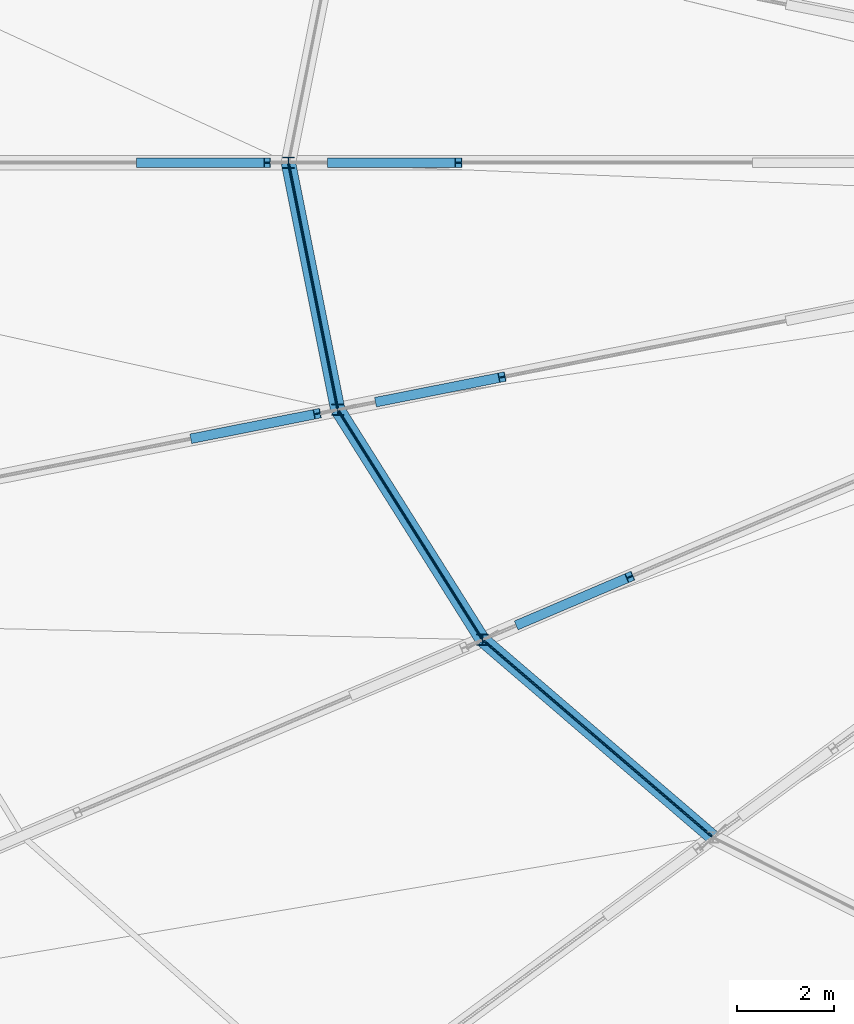
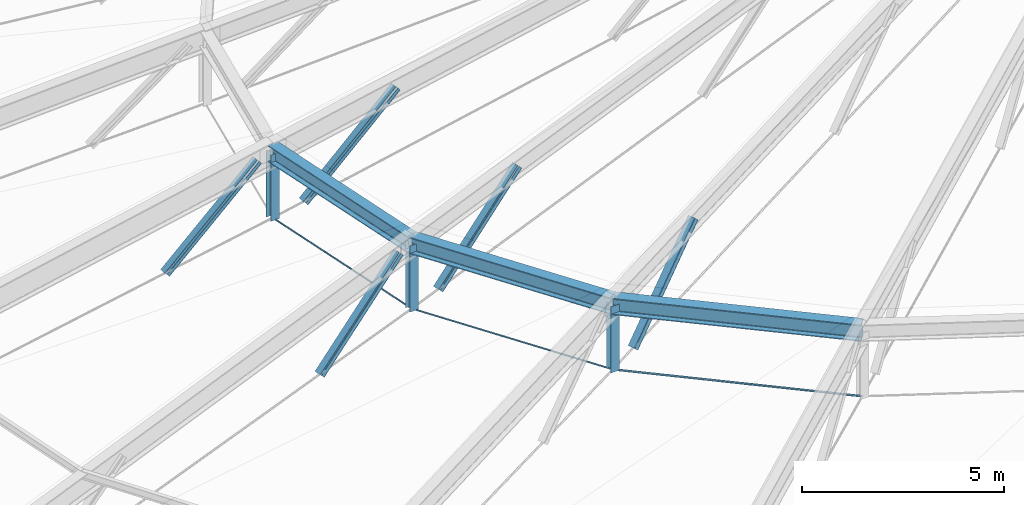
# One storey, part 10 of 83: 11 members, 3 beams.
"""IFC4 building model written with IfcOpenShell, lengths in metres."""

from ifc_helpers import new_model, si_unit, direction, frame, origin, origin_2d, place, context, subcontext, project, spatial, circle, i_section, extrude, material, material_profile, profile_set, type_object, element, save


model = new_model("IFC4")

# Units and contexts
model_context = context("Model", 3, precision=1e-05, world=origin(), true_north=direction((0.0, 1.0)))
body_context = subcontext(model_context, "Body", "Model", "MODEL_VIEW")
ifc_project = project(units=[si_unit("LENGTHUNIT", "METRE"), si_unit("AREAUNIT", "SQUARE_METRE"), si_unit("VOLUMEUNIT", "CUBIC_METRE"), si_unit("PLANEANGLEUNIT", "RADIAN"), si_unit("MASSUNIT", "GRAM", prefix="KILO")], contexts=[model_context])

# Site, building, storey
site_placement = place(None, origin())
site = spatial("IfcSite", under=ifc_project, at=site_placement, CompositionType="ELEMENT")
building_placement = place(site_placement, origin())
building = spatial("IfcBuilding", under=site, at=building_placement, Name="Kivolera Central Railway Station", CompositionType="ELEMENT")
storey_placement = place(building_placement, frame((0.0, 0.0, 14.39990234375)))
storey = spatial("IfcBuildingStorey", under=building, at=storey_placement, Name="L03", CompositionType="ELEMENT", Elevation=14.39990234375)

# Beams
ifc_material_1 = material(Name="Steel S355", Category="steel")
ifc_material_profile_1 = material_profile(ifc_material_1, i_section(OverallWidth=0.300048828125, OverallDepth=0.5, WebThickness=0.014404296875, FlangeThickness=0.028076171875, FilletRadius=0.027099609375, at=origin_2d()), Name="HEB 500")
ifc_profile_set_1 = profile_set([ifc_material_profile_1], Name="Steel S355")
beam_type = type_object("IfcBeamType", Name="BM-HRG-HEB500", PredefinedType="BEAM", material=ifc_profile_set_1)
beam_1_placement = place(storey_placement, frame((34.0, 90.0, 5.780029296875), z_axis=(0.196035080602, -0.980596883114, 0.0), x_axis=(0.980596883114, 0.196035080602, 0.0)))
element("IfcBeam", 1, at=beam_1_placement, inside=storey, type_object=beam_type, Name="Oval Dome Outer Hoop Ring Beam HRG1-13", PredefinedType="BEAM", context=body_context, shape_type="SweptSolid", body=[
    extrude(i_section(OverallWidth=0.300048828125, OverallDepth=0.5, WebThickness=0.014404296875, FlangeThickness=0.028076171875, FilletRadius=0.027099609375, at=origin_2d()), origin(), (0.0, 0.0, 1.0), 5.213134765625),
])
beam_2_placement = place(storey_placement, frame((35.02197265625, 84.887939453125, 5.780029296875), z_axis=(0.532581967899, -0.846378430413, 0.0), x_axis=(0.846378430413, 0.532581967899, 0.0)))
element("IfcBeam", 2, at=beam_2_placement, inside=storey, type_object=beam_type, Name="Oval Dome Outer Hoop Ring Beam HRG1-14", PredefinedType="BEAM", context=body_context, shape_type="SweptSolid", body=[
    extrude(i_section(OverallWidth=0.300048828125, OverallDepth=0.5, WebThickness=0.014404296875, FlangeThickness=0.028076171875, FilletRadius=0.027099609375, at=origin_2d()), origin(), (0.0, 0.0, 1.0), 5.62744140625),
])
beam_3_placement = place(storey_placement, frame((38.01904296875, 80.125, 5.780029296875), z_axis=(0.759006904764, -0.651082574271, 0.0), x_axis=(0.651082574271, 0.759006904764, 0.0)))
element("IfcBeam", 3, at=beam_3_placement, inside=storey, type_object=beam_type, Name="Oval Dome Outer Hoop Ring Beam HRG1-15", PredefinedType="BEAM", context=body_context, shape_type="SweptSolid", body=[
    extrude(i_section(OverallWidth=0.300048828125, OverallDepth=0.5, WebThickness=0.014404296875, FlangeThickness=0.028076171875, FilletRadius=0.027099609375, at=origin_2d()), origin(), (0.0, 0.0, 1.0), 6.281982421875),
])

# Members
ifc_material_2 = material(Name="Spiral strand steel S460", Category="steel")
ifc_material_profile_2 = material_profile(ifc_material_2, circle(Radius=0.02392578125, at=origin_2d()), Name="CABLE D48")
ifc_profile_set_2 = profile_set([ifc_material_profile_2], Name="Spiral strand steel S460")
member_type_1 = type_object("IfcMemberType", Name="MEM-CABLE-D48", PredefinedType="USERDEFINED", material=ifc_profile_set_2)
member_1_placement = place(storey_placement, frame((34.0, 90.0, 3.780029296875), z_axis=(0.196035080602, -0.980596883114, 0.0), x_axis=(0.980596883114, 0.196035080602, 0.0)))
element("IfcMember", 4, at=member_1_placement, inside=storey, type_object=member_type_1, Name="Dome Hoop Tension Cable HC1-13", ObjectType="TENSION_CABLE", PredefinedType="USERDEFINED", context=body_context, shape_type="SweptSolid", body=[
    extrude(circle(Radius=0.02392578125, at=origin_2d()), origin(), (0.0, 0.0, 1.0), 5.213134765625),
])
member_2_placement = place(storey_placement, frame((35.02197265625, 84.887939453125, 3.780029296875), z_axis=(0.532581967899, -0.846378430413, 0.0), x_axis=(0.846378430413, 0.532581967899, 0.0)))
element("IfcMember", 5, at=member_2_placement, inside=storey, type_object=member_type_1, Name="Dome Hoop Tension Cable HC1-14", ObjectType="TENSION_CABLE", PredefinedType="USERDEFINED", context=body_context, shape_type="SweptSolid", body=[
    extrude(circle(Radius=0.02392578125, at=origin_2d()), origin(), (0.0, 0.0, 1.0), 5.62744140625),
])
member_3_placement = place(storey_placement, frame((38.01904296875, 80.125, 3.780029296875), z_axis=(0.759006904764, -0.651082574271, 0.0), x_axis=(0.651082574271, 0.759006904764, 0.0)))
element("IfcMember", 6, at=member_3_placement, inside=storey, type_object=member_type_1, Name="Dome Hoop Tension Cable HC1-15", ObjectType="TENSION_CABLE", PredefinedType="USERDEFINED", context=body_context, shape_type="SweptSolid", body=[
    extrude(circle(Radius=0.02392578125, at=origin_2d()), origin(), (0.0, 0.0, 1.0), 6.281982421875),
])
ifc_material_profile_3 = material_profile(ifc_material_1, i_section(OverallWidth=0.239990234375, OverallDepth=0.22998046875, WebThickness=0.007568359375, FlangeThickness=0.011962890625, FilletRadius=0.02099609375, at=origin_2d()), Name="HEA 240")
ifc_profile_set_3 = profile_set([ifc_material_profile_3], Name="Steel S355")
member_type_2 = type_object("IfcMemberType", Name="MEM-RAF-HEA240", PredefinedType="STRUT", material=ifc_profile_set_3)
for number, where, z_axis, x_axis, name in (
    (7, (34.0, 90.0, 3.780029296875), (0.0, 0.0, 1.0), (1.0, 0.0, 0.0), "Dome Ring Spreader Post DP1-13"),
    (8, (35.02197265625, 84.887939453125, 3.780029296875), (0.0, 0.0, 1.0), (1.0, 0.0, 0.0), "Dome Ring Spreader Post DP1-14"),
    (9, (38.01904296875, 80.125, 3.780029296875), (0.0, 0.0, 1.0), (1.0, 0.0, 0.0), "Dome Ring Spreader Post DP1-15"),
):
    element("IfcMember", number, at=place(storey_placement, frame(where, z_axis=z_axis, x_axis=x_axis)), inside=storey, type_object=member_type_2, Name=name, PredefinedType="STRUT", context=body_context, shape_type="SweptSolid", body=[
        extrude(i_section(OverallWidth=0.239990234375, OverallDepth=0.22998046875, WebThickness=0.007568359375, FlangeThickness=0.011962890625, FilletRadius=0.02099609375, at=origin_2d()), origin(), (0.0, 0.0, 1.0), 2.0),
    ])
ifc_material_profile_4 = material_profile(ifc_material_1, i_section(OverallWidth=0.199951171875, OverallDepth=0.199951171875, WebThickness=0.009033203125, FlangeThickness=0.014892578125, FilletRadius=0.01806640625, at=origin_2d()), Name="HEB 200")
ifc_profile_set_4 = profile_set([ifc_material_profile_4], Name="Steel S355")
member_type_3 = type_object("IfcMemberType", Name="MEM-RAF-HEB200", PredefinedType="RAFTER", material=ifc_profile_set_4)
member_4_placement = place(storey_placement, frame((30.919921875, 90.0, 3.18798828125), z_axis=(0.726114989951, 0.0, 0.687573284362), x_axis=(0.0, 1.0, 0.0)))
element("IfcMember", 10, at=member_4_placement, inside=storey, type_object=member_type_3, Name="Dome Radial Truss Raking Web DWEB1-13.3", PredefinedType="RAFTER", context=body_context, shape_type="SweptSolid", body=[
    extrude(i_section(OverallWidth=0.199951171875, OverallDepth=0.199951171875, WebThickness=0.009033203125, FlangeThickness=0.014892578125, FilletRadius=0.01806640625, at=origin_2d()), origin(), (0.0, 0.0, 1.0), 3.635986328125),
])
member_5_placement = place(storey_placement, frame((34.8798828125, 90.0, 3.964111328125), z_axis=(0.719006095885, 0.0, 0.695003765515), x_axis=(0.0, 1.0, 0.0)))
element("IfcMember", 11, at=member_5_placement, inside=storey, type_object=member_type_3, Name="Dome Inner Truss Raking Web DWEB2-13.1", PredefinedType="RAFTER", context=body_context, shape_type="SweptSolid", body=[
    extrude(i_section(OverallWidth=0.199951171875, OverallDepth=0.199951171875, WebThickness=0.009033203125, FlangeThickness=0.014892578125, FilletRadius=0.01806640625, at=origin_2d()), origin(), (0.0, 0.0, 1.0), 3.671875),
])
member_6_placement = place(storey_placement, frame((32.047119140625, 84.299072265625, 3.18798828125), z_axis=(0.707014279237, 0.139994784514, 0.69320434885), x_axis=(-0.194237271677, 0.980954577079, 0.0)))
element("IfcMember", 12, at=member_6_placement, inside=storey, type_object=member_type_3, Name="Dome Radial Truss Raking Web DWEB1-14.3", PredefinedType="RAFTER", context=body_context, shape_type="SweptSolid", body=[
    extrude(i_section(OverallWidth=0.199951171875, OverallDepth=0.199951171875, WebThickness=0.009033203125, FlangeThickness=0.014892578125, FilletRadius=0.01806640625, at=origin_2d()), origin(), (0.0, 0.0, 1.0), 3.6064453125),
])
member_7_placement = place(storey_placement, frame((35.8720703125, 85.055908203125, 3.964111328125), z_axis=(0.70000791602, 0.13866121381, 0.700544063778), x_axis=(-0.194309748396, 0.980940223295, 0.0)))
element("IfcMember", 13, at=member_7_placement, inside=storey, type_object=member_type_3, Name="Dome Inner Truss Raking Web DWEB2-14.1", PredefinedType="RAFTER", context=body_context, shape_type="SweptSolid", body=[
    extrude(i_section(OverallWidth=0.199951171875, OverallDepth=0.199951171875, WebThickness=0.009033203125, FlangeThickness=0.014892578125, FilletRadius=0.01806640625, at=origin_2d()), origin(), (0.0, 0.0, 1.0), 3.642822265625),
])
member_8_placement = place(storey_placement, frame((38.781005859375, 80.449951171875, 3.964111328125), z_axis=(0.641718438739, 0.273739554024, 0.716424526342), x_axis=(-0.392365547728, 0.9198093699, 0.0)))
element("IfcMember", 14, at=member_8_placement, inside=storey, type_object=member_type_3, Name="Dome Inner Truss Raking Web DWEB2-15.1", PredefinedType="RAFTER", context=body_context, shape_type="SweptSolid", body=[
    extrude(i_section(OverallWidth=0.199951171875, OverallDepth=0.199951171875, WebThickness=0.009033203125, FlangeThickness=0.014892578125, FilletRadius=0.01806640625, at=origin_2d()), origin(), (0.0, 0.0, 1.0), 3.562255859375),
])

save(model, "model.ifc")
